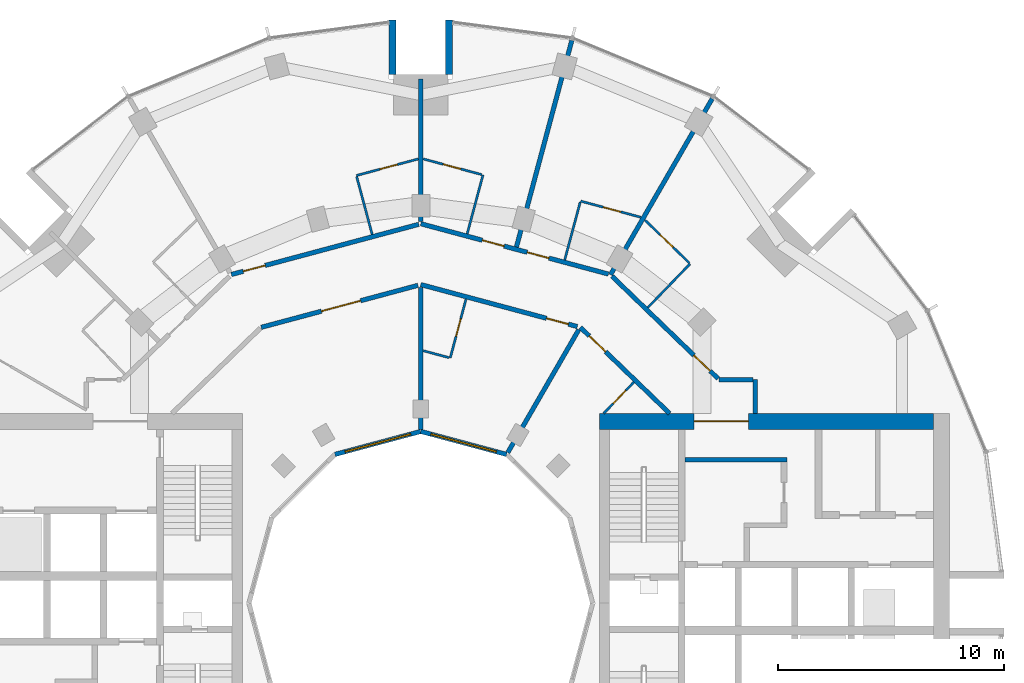
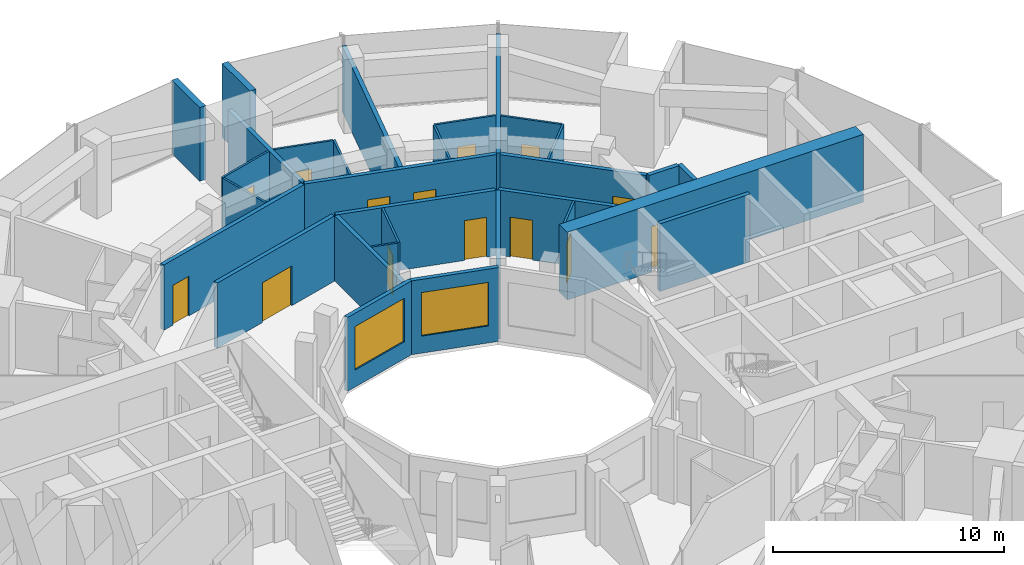
# One storey, part 12 of 15: 30 walls, 14 doors, 2 windows, 16 openings.
"""IFC4 building model written with IfcOpenShell, lengths in metres."""

from ifc_helpers import new_model, si_unit, direction, frame, frame_2d, origin, place, context, subcontext, project, spatial, rectangle, extrude, material, layer, layer_set, type_object, element, fill, save


model = new_model("IFC4")

# Units and contexts
model_context = context("Model", 3, precision=1e-05, world=origin(), true_north=direction((0.0, 1.0)))
body_context = subcontext(model_context, "Body", "Model", "MODEL_VIEW")
ifc_project = project(units=[si_unit("LENGTHUNIT", "METRE"), si_unit("AREAUNIT", "SQUARE_METRE"), si_unit("VOLUMEUNIT", "CUBIC_METRE"), si_unit("PLANEANGLEUNIT", "RADIAN"), si_unit("MASSUNIT", "GRAM", prefix="KILO")], contexts=[model_context])

# Site, building, storey
site_placement = place(None, origin())
site = spatial("IfcSite", under=ifc_project, at=site_placement, CompositionType="ELEMENT")
building_placement = place(site_placement, origin())
building = spatial("IfcBuilding", under=site, at=building_placement, Name="Torre Brocal", CompositionType="ELEMENT")
storey_placement = place(building_placement, frame((0.0, 0.0, 118.5)))
storey = spatial("IfcBuildingStorey", under=building, at=storey_placement, Name="L27", CompositionType="ELEMENT", Elevation=118.5)

# Wall
ifc_material_1 = material(Name="Concrete C70", Category="concrete")
ifc_layer_1 = layer(ifc_material_1, 0.199951171875)
ifc_layer_set_1 = layer_set([ifc_layer_1], Name="Concrete C70")
wall_type_1 = type_object("IfcWallType", Name="CORE WALL 200 C70", PredefinedType="SHEAR", material=ifc_layer_set_1)
wall_1_placement = place(storey_placement, frame((91.699951171875, 81.35009765625, 0.0), z_axis=(0.0, 0.0, 1.0), x_axis=(1.0, 0.0, 0.0)))
element("IfcWall", 1, at=wall_1_placement, inside=storey, type_object=wall_type_1, Name="Wall CW200-70", PredefinedType="SHEAR", context=body_context, shape_type="SweptSolid", body=[
    extrude(rectangle(XDim=4.5, YDim=0.199951171875, at=frame_2d((2.25, 0.0))), origin(), (0.0, 0.0, 1.0), 3.580078125),
])

# Wall, opening, door
ifc_material_2 = material(Name="Concrete C70", Category="concrete")
ifc_layer_2 = layer(ifc_material_2, 0.699951171875)
ifc_layer_set_2 = layer_set([ifc_layer_2], Name="Concrete C70")
wall_type_2 = type_object("IfcWallType", Name="CORE WALL 700 C70", PredefinedType="SHEAR", material=ifc_layer_set_2)
wall_2_placement = place(storey_placement, frame((87.89990234375, 83.050048828125, 0.0), z_axis=(0.0, 0.0, 1.0), x_axis=(1.0, 0.0, 0.0)))
wall_2 = element("IfcWall", 2, at=wall_2_placement, inside=storey, type_object=wall_type_2, Name="Wall CW700-70", PredefinedType="SHEAR", context=body_context, shape_type="SweptSolid", body=[
    extrude(rectangle(XDim=14.800048828125, YDim=0.699951171875, at=frame_2d((7.39990234375, 0.0))), origin(), (0.0, 0.0, 1.0), 3.580078125),
])
opening_1_placement = place(wall_2_placement, frame((4.199951171875, 0.0, 0.0)))
opening_1 = element("IfcOpeningElement", 3, at=opening_1_placement, cuts=wall_2, Name="Opening E-D24", PredefinedType="OPENING", context=body_context, shape_type="SweptSolid", body=[
    extrude(rectangle(XDim=2.39990234375, YDim=2.39990234375, at=frame_2d((1.199951171875, 1.199951171875))), frame((0.0, 0.35986328125, 0.0), z_axis=(0.0, -1.0, 0.0), x_axis=(1.0, 0.0, 0.0)), (0.0, 0.0, 1.0), 0.719970703125),
])
ifc_material_3 = material(Name="Steel A653", Category="steel")
door_type_1 = type_object("IfcDoorType", Name="DOUBLE FIRE DOOR FD90 2400X2400", OperationType="DOUBLE_DOOR_SINGLE_SWING", PredefinedType="DOOR", material=ifc_material_3)
door_1_placement = place(opening_1_placement, frame((2.39990234375, 0.0, 0.0), z_axis=(0.0, 0.0, 1.0), x_axis=(-1.0, 0.0, 0.0)))
door_1 = element("IfcDoor", 4, at=door_1_placement, inside=storey, type_object=door_type_1, Name="Door E-D24", OperationType="DOUBLE_DOOR_SINGLE_SWING", OverallHeight=2.39990234375, OverallWidth=2.39990234375, PredefinedType="DOOR", context=body_context, shape_type="SweptSolid", body=[
    extrude(rectangle(XDim=2.39990234375, YDim=2.39990234375, at=frame_2d((1.199951171875, 1.199951171875))), frame((0.0, 0.02490234375, 0.0), z_axis=(0.0, -1.0, 0.0), x_axis=(1.0, 0.0, 0.0)), (0.0, 0.0, 1.0), 0.050048828125),
])
fill(opening_1, door_1)

# Walls
ifc_material_4 = material(Name="Concrete C70", Category="concrete")
ifc_layer_3 = layer(ifc_material_4, 0.300048828125)
ifc_layer_set_3 = layer_set([ifc_layer_3], Name="Concrete C70")
wall_type_3 = type_object("IfcWallType", Name="NOTCH RETURN WALL 300 C70", PredefinedType="NOTDEFINED", material=ifc_layer_set_3)
for number, where, z_axis, x_axis, name in (
    (5, (81.25, 98.39990234375, 0.0), (0.0, 0.0, 1.0), (0.0, 1.0, 0.0), "NOTCH RETURN WALL"),
    (6, (78.75, 98.39990234375, 0.0), (0.0, 0.0, 1.0), (0.0, 1.0, 0.0), "NOTCH RETURN WALL"),
):
    element("IfcWall", number, at=place(storey_placement, frame(where, z_axis=z_axis, x_axis=x_axis)), inside=storey, type_object=wall_type_3, Name=name, PredefinedType="NOTDEFINED", context=body_context, shape_type="SweptSolid", body=[
        extrude(rectangle(XDim=2.415771484375, YDim=0.300048828125, at=frame_2d((1.2080078125, 0.0))), origin(), (0.0, 0.0, 1.0), 3.89990234375),
    ])
ifc_material_5 = material(Name="Gypsum board", Category="Gypsum")
ifc_layer_4 = layer(ifc_material_5, 0.10009765625)
ifc_layer_set_4 = layer_set([ifc_layer_4], Name="Gypsum board")
wall_type_4 = type_object("IfcWallType", Name="PARTITION 100", PredefinedType="PARTITIONING", material=ifc_layer_set_4)
wall_3_placement = place(storey_placement, frame((77.161865234375, 93.8828125, 0.0), z_axis=(0.0, 0.0, 1.0), x_axis=(0.258998589493, -0.965877699629, 0.0)))
element("IfcWall", 7, at=wall_3_placement, inside=storey, type_object=wall_type_4, Name="BATHROOM WALL", PredefinedType="PARTITIONING", context=body_context, shape_type="SweptSolid", body=[
    extrude(rectangle(XDim=2.649658203125, YDim=0.10009765625, at=frame_2d((1.32470703125, 0.0))), origin(), (0.0, 0.0, 1.0), 3.449951171875),
])

# Wall, opening, door
wall_4_placement = place(storey_placement, frame((77.14892578125, 93.930908203125, 0.0), z_axis=(0.0, 0.0, 1.0), x_axis=(0.965916219953, 0.258854893776, 0.0)))
wall_4 = element("IfcWall", 8, at=wall_4_placement, inside=storey, type_object=wall_type_4, Name="BATHROOM WALL", PredefinedType="PARTITIONING", context=body_context, shape_type="SweptSolid", body=[
    extrude(rectangle(XDim=2.841796875, YDim=0.10009765625, at=frame_2d((1.4208984375, 0.0))), origin(), (0.0, 0.0, 1.0), 3.449951171875),
])
opening_2_placement = place(wall_4_placement, frame((1.07568359375, 0.0, 0.0)))
opening_2 = element("IfcOpeningElement", 9, at=opening_2_placement, cuts=wall_4, Name="Opening E01-D08", PredefinedType="OPENING", context=body_context, shape_type="SweptSolid", body=[
    extrude(rectangle(XDim=0.800048828125, YDim=2.10009765625, at=frame_2d((0.39990234375, 1.050048828125))), frame((0.0, 0.06005859375, 0.0), z_axis=(0.0, -1.0, 0.0), x_axis=(1.0, 0.0, 0.0)), (0.0, 0.0, 1.0), 0.1201171875),
])
ifc_material_6 = material(Name="Timber", Category="wood")
door_type_2 = type_object("IfcDoorType", Name="BATHROOM DOOR 800X2100", OperationType="SINGLE_SWING_LEFT", PredefinedType="DOOR", material=ifc_material_6)
door_2_placement = place(opening_2_placement, frame((0.800048828125, 0.0, 0.0), z_axis=(0.0, 0.0, 1.0), x_axis=(-1.0, 0.0, 0.0)))
door_2 = element("IfcDoor", 10, at=door_2_placement, inside=storey, type_object=door_type_2, Name="E01-D08", OperationType="SINGLE_SWING_LEFT", OverallHeight=2.10009765625, OverallWidth=0.800048828125, PredefinedType="DOOR", context=body_context, shape_type="SweptSolid", body=[
    extrude(rectangle(XDim=0.800048828125, YDim=2.10009765625, at=frame_2d((0.39990234375, 1.050048828125))), frame((0.0, 0.02490234375, 0.0), z_axis=(0.0, -1.0, 0.0), x_axis=(1.0, 0.0, 0.0)), (0.0, 0.0, 1.0), 0.050048828125),
])
fill(opening_2, door_2)

# Wall
wall_5_placement = place(storey_placement, frame((80.106201171875, 86.176513671875, 0.0), z_axis=(0.0, 0.0, 1.0), x_axis=(0.966002973184, -0.258530957139, 0.0)))
element("IfcWall", 11, at=wall_5_placement, inside=storey, type_object=wall_type_4, Name="BATHROOM WALL", PredefinedType="PARTITIONING", context=body_context, shape_type="SweptSolid", body=[
    extrude(rectangle(XDim=1.18994140625, YDim=0.10009765625, at=frame_2d((0.594970703125, 0.0))), origin(), (0.0, 0.0, 1.0), 3.449951171875),
])

# Wall, opening, door
wall_6_placement = place(storey_placement, frame((80.106201171875, 94.666748046875, 0.0), z_axis=(0.0, 0.0, 1.0), x_axis=(0.965904298007, -0.258899376382, 0.0)))
wall_6 = element("IfcWall", 12, at=wall_6_placement, inside=storey, type_object=wall_type_4, Name="BATHROOM WALL", PredefinedType="PARTITIONING", context=body_context, shape_type="SweptSolid", body=[
    extrude(rectangle(XDim=2.6904296875, YDim=0.10009765625, at=frame_2d((1.34521484375, 0.0))), origin(), (0.0, 0.0, 1.0), 3.449951171875),
])
opening_3_placement = place(wall_6_placement, frame((0.9150390625, 0.0, 0.0)))
opening_3 = element("IfcOpeningElement", 13, at=opening_3_placement, cuts=wall_6, Name="Opening E01-D06", PredefinedType="OPENING", context=body_context, shape_type="SweptSolid", body=[
    extrude(rectangle(XDim=0.800048828125, YDim=2.10009765625, at=frame_2d((0.39990234375, 1.050048828125))), frame((0.0, 0.06005859375, 0.0), z_axis=(0.0, -1.0, 0.0), x_axis=(1.0, 0.0, 0.0)), (0.0, 0.0, 1.0), 0.1201171875),
])
door_3_placement = place(opening_3_placement, frame((0.800048828125, 0.0, 0.0), z_axis=(0.0, 0.0, 1.0), x_axis=(-1.0, 0.0, 0.0)))
door_3 = element("IfcDoor", 14, at=door_3_placement, inside=storey, type_object=door_type_2, Name="E01-D06", OperationType="SINGLE_SWING_RIGHT", OverallHeight=2.10009765625, OverallWidth=0.800048828125, PredefinedType="DOOR", context=body_context, shape_type="SweptSolid", body=[
    extrude(rectangle(XDim=0.800048828125, YDim=2.10009765625, at=frame_2d((0.39990234375, 1.050048828125))), frame((0.0, 0.02490234375, 0.0), z_axis=(0.0, -1.0, 0.0), x_axis=(1.0, 0.0, 0.0)), (0.0, 0.0, 1.0), 0.050048828125),
])
fill(opening_3, door_3)

wall_7_placement = place(storey_placement, frame((81.303955078125, 85.85595703125, 0.0), z_axis=(0.0, 0.0, 1.0), x_axis=(0.25867580527, 0.965964195904, 0.0)))
wall_7 = element("IfcWall", 15, at=wall_7_placement, inside=storey, type_object=wall_type_4, Name="BATHROOM WALL", PredefinedType="PARTITIONING", context=body_context, shape_type="SweptSolid", body=[
    extrude(rectangle(XDim=2.69921875, YDim=0.10009765625, at=frame_2d((1.349609375, 0.0))), origin(), (0.0, 0.0, 1.0), 3.449951171875),
])
opening_4_placement = place(wall_7_placement, frame((0.99951171875, 0.0, 0.0)))
opening_4 = element("IfcOpeningElement", 16, at=opening_4_placement, cuts=wall_7, Name="Opening E01-D17", PredefinedType="OPENING", context=body_context, shape_type="SweptSolid", body=[
    extrude(rectangle(XDim=0.800048828125, YDim=2.10009765625, at=frame_2d((0.39990234375, 1.050048828125))), frame((0.0, 0.06005859375, 0.0), z_axis=(0.0, -1.0, 0.0), x_axis=(1.0, 0.0, 0.0)), (0.0, 0.0, 1.0), 0.1201171875),
])
door_4_placement = place(opening_4_placement, origin())
door_4 = element("IfcDoor", 17, at=door_4_placement, inside=storey, type_object=door_type_2, Name="E01-D17", OperationType="SINGLE_SWING_RIGHT", OverallHeight=2.10009765625, OverallWidth=0.800048828125, PredefinedType="DOOR", context=body_context, shape_type="SweptSolid", body=[
    extrude(rectangle(XDim=0.800048828125, YDim=2.10009765625, at=frame_2d((0.39990234375, 1.050048828125))), frame((0.0, 0.02490234375, 0.0), z_axis=(0.0, -1.0, 0.0), x_axis=(1.0, 0.0, 0.0)), (0.0, 0.0, 1.0), 0.050048828125),
])
fill(opening_4, door_4)

# Walls
wall_8_placement = place(storey_placement, frame((82.053955078125, 91.349609375, 0.0), z_axis=(0.0, 0.0, 1.0), x_axis=(0.258928960762, 0.965896367774, 0.0)))
element("IfcWall", 18, at=wall_8_placement, inside=storey, type_object=wall_type_4, Name="BATHROOM WALL", PredefinedType="PARTITIONING", context=body_context, shape_type="SweptSolid", body=[
    extrude(rectangle(XDim=2.699462890625, YDim=0.10009765625, at=frame_2d((1.349609375, 0.0))), origin(), (0.0, 0.0, 1.0), 3.449951171875),
])
wall_9_placement = place(storey_placement, frame((86.3701171875, 90.193359375, 0.0), z_axis=(0.0, 0.0, 1.0), x_axis=(0.259044695829, 0.965865335108, 0.0)))
element("IfcWall", 19, at=wall_9_placement, inside=storey, type_object=wall_type_4, Name="BATHROOM WALL", PredefinedType="PARTITIONING", context=body_context, shape_type="SweptSolid", body=[
    extrude(rectangle(XDim=2.649169921875, YDim=0.10009765625, at=frame_2d((1.32470703125, 0.0))), origin(), (0.0, 0.0, 1.0), 3.449951171875),
])

# Wall, opening, door
wall_10_placement = place(storey_placement, frame((87.081787109375, 92.796875, 0.0), z_axis=(0.0, 0.0, 1.0), x_axis=(0.965892621415, -0.258942935598, 0.0)))
wall_10 = element("IfcWall", 20, at=wall_10_placement, inside=storey, type_object=wall_type_4, Name="BATHROOM WALL", PredefinedType="PARTITIONING", context=body_context, shape_type="SweptSolid", body=[
    extrude(rectangle(XDim=2.753173828125, YDim=0.10009765625, at=frame_2d((1.37646484375, 0.0))), origin(), (0.0, 0.0, 1.0), 3.449951171875),
])
opening_5_placement = place(wall_10_placement, frame((1.03173828125, 0.0, 0.0)))
opening_5 = element("IfcOpeningElement", 21, at=opening_5_placement, cuts=wall_10, Name="Opening E01-D04", PredefinedType="OPENING", context=body_context, shape_type="SweptSolid", body=[
    extrude(rectangle(XDim=0.800048828125, YDim=2.10009765625, at=frame_2d((0.39990234375, 1.050048828125))), frame((0.0, 0.06005859375, 0.0), z_axis=(0.0, -1.0, 0.0), x_axis=(1.0, 0.0, 0.0)), (0.0, 0.0, 1.0), 0.1201171875),
])
door_5_placement = place(opening_5_placement, frame((0.800048828125, 0.0, 0.0), z_axis=(0.0, 0.0, 1.0), x_axis=(-1.0, 0.0, 0.0)))
door_5 = element("IfcDoor", 22, at=door_5_placement, inside=storey, type_object=door_type_2, Name="E01-D04", OperationType="SINGLE_SWING_LEFT", OverallHeight=2.10009765625, OverallWidth=0.800048828125, PredefinedType="DOOR", context=body_context, shape_type="SweptSolid", body=[
    extrude(rectangle(XDim=0.800048828125, YDim=2.10009765625, at=frame_2d((0.39990234375, 1.050048828125))), frame((0.0, 0.02490234375, 0.0), z_axis=(0.0, -1.0, 0.0), x_axis=(1.0, 0.0, 0.0)), (0.0, 0.0, 1.0), 0.050048828125),
])
fill(opening_5, door_5)

wall_11_placement = place(storey_placement, frame((88.094970703125, 83.39990234375, 0.0), z_axis=(0.0, 0.0, 1.0), x_axis=(0.694447472534, 0.719543402368, 0.0)))
wall_11 = element("IfcWall", 23, at=wall_11_placement, inside=storey, type_object=wall_type_4, Name="BATHROOM WALL", PredefinedType="PARTITIONING", context=body_context, shape_type="SweptSolid", body=[
    extrude(rectangle(XDim=1.92626953125, YDim=0.10009765625, at=frame_2d((0.963134765625, 0.0))), origin(), (0.0, 0.0, 1.0), 3.449951171875),
])
opening_6_placement = place(wall_11_placement, frame((0.613037109375, 0.0, 0.0)))
opening_6 = element("IfcOpeningElement", 24, at=opening_6_placement, cuts=wall_11, Name="Opening E01-D15", PredefinedType="OPENING", context=body_context, shape_type="SweptSolid", body=[
    extrude(rectangle(XDim=0.800048828125, YDim=2.10009765625, at=frame_2d((0.39990234375, 1.050048828125))), frame((0.0, 0.06005859375, 0.0), z_axis=(0.0, -1.0, 0.0), x_axis=(1.0, 0.0, 0.0)), (0.0, 0.0, 1.0), 0.1201171875),
])
door_6_placement = place(opening_6_placement, frame((0.800048828125, 0.0, 0.0), z_axis=(0.0, 0.0, 1.0), x_axis=(-1.0, 0.0, 0.0)))
door_6 = element("IfcDoor", 25, at=door_6_placement, inside=storey, type_object=door_type_2, Name="E01-D15", OperationType="SINGLE_SWING_LEFT", OverallHeight=2.10009765625, OverallWidth=0.800048828125, PredefinedType="DOOR", context=body_context, shape_type="SweptSolid", body=[
    extrude(rectangle(XDim=0.800048828125, YDim=2.10009765625, at=frame_2d((0.39990234375, 1.050048828125))), frame((0.0, 0.02490234375, 0.0), z_axis=(0.0, -1.0, 0.0), x_axis=(1.0, 0.0, 0.0)), (0.0, 0.0, 1.0), 0.050048828125),
])
fill(opening_6, door_6)

wall_12_placement = place(storey_placement, frame((89.9248046875, 91.956298828125, 0.0), z_axis=(0.0, 0.0, 1.0), x_axis=(0.719395291255, -0.694600903339, 0.0)))
wall_12 = element("IfcWall", 26, at=wall_12_placement, inside=storey, type_object=wall_type_4, Name="BATHROOM WALL", PredefinedType="PARTITIONING", context=body_context, shape_type="SweptSolid", body=[
    extrude(rectangle(XDim=2.7275390625, YDim=0.10009765625, at=frame_2d((1.36376953125, 0.0))), origin(), (0.0, 0.0, 1.0), 3.449951171875),
])
opening_7_placement = place(wall_12_placement, frame((0.928466796875, 0.0, 0.0)))
opening_7 = element("IfcOpeningElement", 27, at=opening_7_placement, cuts=wall_12, Name="Opening E01-D02", PredefinedType="OPENING", context=body_context, shape_type="SweptSolid", body=[
    extrude(rectangle(XDim=0.800048828125, YDim=2.10009765625, at=frame_2d((0.39990234375, 1.050048828125))), frame((0.0, 0.06005859375, 0.0), z_axis=(0.0, -1.0, 0.0), x_axis=(1.0, 0.0, 0.0)), (0.0, 0.0, 1.0), 0.1201171875),
])
door_7_placement = place(opening_7_placement, frame((0.800048828125, 0.0, 0.0), z_axis=(0.0, 0.0, 1.0), x_axis=(-1.0, 0.0, 0.0)))
door_7 = element("IfcDoor", 28, at=door_7_placement, inside=storey, type_object=door_type_2, Name="E01-D02", OperationType="SINGLE_SWING_RIGHT", OverallHeight=2.10009765625, OverallWidth=0.800048828125, PredefinedType="DOOR", context=body_context, shape_type="SweptSolid", body=[
    extrude(rectangle(XDim=0.800048828125, YDim=2.10009765625, at=frame_2d((0.39990234375, 1.050048828125))), frame((0.0, 0.02490234375, 0.0), z_axis=(0.0, -1.0, 0.0), x_axis=(1.0, 0.0, 0.0)), (0.0, 0.0, 1.0), 0.050048828125),
])
fill(opening_7, door_7)

# Wall
wall_13_placement = place(storey_placement, frame((90.047607421875, 88.0849609375, 0.0), z_axis=(0.0, 0.0, 1.0), x_axis=(0.694655834207, 0.71934224956, 0.0)))
element("IfcWall", 29, at=wall_13_placement, inside=storey, type_object=wall_type_4, Name="BATHROOM WALL", PredefinedType="PARTITIONING", context=body_context, shape_type="SweptSolid", body=[
    extrude(rectangle(XDim=2.699951171875, YDim=0.10009765625, at=frame_2d((1.35009765625, 0.0))), origin(), (0.0, 0.0, 1.0), 3.449951171875),
])

# Wall, opening, door
ifc_material_7 = material(Name="Gypsum board", Category="Gypsum")
ifc_layer_5 = layer(ifc_material_7, 0.199951171875)
ifc_layer_set_5 = layer_set([ifc_layer_5], Name="Gypsum board")
wall_type_5 = type_object("IfcWallType", Name="PARTITION 200 EI60", PredefinedType="PARTITIONING", material=ifc_layer_set_5)
wall_14_placement = place(storey_placement, frame((71.61376953125, 89.549560546875, 0.0), z_axis=(0.0, 0.0, 1.0), x_axis=(0.965967958589, 0.258661753994, 0.0)))
wall_14 = element("IfcWall", 30, at=wall_14_placement, inside=storey, type_object=wall_type_5, Name="GUESTROOM CORRIDOR WALL", PredefinedType="PARTITIONING", context=body_context, shape_type="SweptSolid", body=[
    extrude(rectangle(XDim=8.592041015625, YDim=0.199951171875, at=frame_2d((4.2958984375, 0.0))), origin(), (0.0, 0.0, 1.0), 3.449951171875),
])
opening_8_placement = place(wall_14_placement, frame((0.550048828125, 0.0, 0.0)))
opening_8 = element("IfcOpeningElement", 31, at=opening_8_placement, cuts=wall_14, Name="Opening E01-D07", PredefinedType="OPENING", context=body_context, shape_type="SweptSolid", body=[
    extrude(rectangle(XDim=1.0, YDim=2.10009765625, at=frame_2d((0.5, 1.050048828125))), frame((0.0, 0.10986328125, 0.0), z_axis=(0.0, -1.0, 0.0), x_axis=(1.0, 0.0, 0.0)), (0.0, 0.0, 1.0), 0.219970703125),
])
ifc_material_8 = material(Name="Timber", Category="wood")
door_type_3 = type_object("IfcDoorType", Name="FLAT ENTRY DOOR FD30S 1000X2100", OperationType="SINGLE_SWING_RIGHT", PredefinedType="DOOR", material=ifc_material_8)
door_8_placement = place(opening_8_placement, origin())
door_8 = element("IfcDoor", 32, at=door_8_placement, inside=storey, type_object=door_type_3, Name="E01-D07", OperationType="SINGLE_SWING_LEFT", OverallHeight=2.10009765625, OverallWidth=1.0, PredefinedType="DOOR", context=body_context, shape_type="SweptSolid", body=[
    extrude(rectangle(XDim=1.0, YDim=2.10009765625, at=frame_2d((0.5, 1.050048828125))), frame((0.0, 0.02490234375, 0.0), z_axis=(0.0, -1.0, 0.0), x_axis=(1.0, 0.0, 0.0)), (0.0, 0.0, 1.0), 0.050048828125),
])
fill(opening_8, door_8)

wall_15_placement = place(storey_placement, frame((72.93603515625, 87.2109375, 0.0), z_axis=(0.0, 0.0, 1.0), x_axis=(0.965917703859, 0.258849356521, 0.0)))
wall_15 = element("IfcWall", 33, at=wall_15_placement, inside=storey, type_object=wall_type_5, Name="GUESTROOM CORRIDOR WALL", PredefinedType="PARTITIONING", context=body_context, shape_type="SweptSolid", body=[
    extrude(rectangle(XDim=7.182373046875, YDim=0.199951171875, at=frame_2d((3.59130859375, 0.0))), origin(), (0.0, 0.0, 1.0), 3.449951171875),
])
opening_9_placement = place(wall_15_placement, frame((2.756591796875, 0.0, 0.0)))
opening_9 = element("IfcOpeningElement", 34, at=opening_9_placement, cuts=wall_15, Name="Opening E01-D18", PredefinedType="OPENING", context=body_context, shape_type="SweptSolid", body=[
    extrude(rectangle(XDim=1.800048828125, YDim=2.10009765625, at=frame_2d((0.89990234375, 1.050048828125))), frame((0.0, 0.10986328125, 0.0), z_axis=(0.0, -1.0, 0.0), x_axis=(1.0, 0.0, 0.0)), (0.0, 0.0, 1.0), 0.219970703125),
])
ifc_material_9 = material(Name="Timber", Category="wood")
door_type_4 = type_object("IfcDoorType", Name="DOUBLE DOOR 1800X2100", OperationType="DOUBLE_DOOR_SINGLE_SWING", PredefinedType="DOOR", material=ifc_material_9)
door_9_placement = place(opening_9_placement, frame((1.800048828125, 0.0, 0.0), z_axis=(0.0, 0.0, 1.0), x_axis=(-1.0, 0.0, 0.0)))
door_9 = element("IfcDoor", 35, at=door_9_placement, inside=storey, type_object=door_type_4, Name="E01-D18", OperationType="DOUBLE_DOOR_SINGLE_SWING", OverallHeight=2.10009765625, OverallWidth=1.800048828125, PredefinedType="DOOR", context=body_context, shape_type="SweptSolid", body=[
    extrude(rectangle(XDim=1.800048828125, YDim=2.10009765625, at=frame_2d((0.89990234375, 1.050048828125))), frame((0.0, 0.02490234375, 0.0), z_axis=(0.0, -1.0, 0.0), x_axis=(1.0, 0.0, 0.0)), (0.0, 0.0, 1.0), 0.050048828125),
])
fill(opening_9, door_9)

# Wall
wall_16_placement = place(storey_placement, frame((80.0, 82.699951171875, 0.0), z_axis=(0.0, 0.0, 1.0), x_axis=(0.0, 1.0, 0.0)))
element("IfcWall", 36, at=wall_16_placement, inside=storey, type_object=wall_type_5, Name="BATHROOM WALL", PredefinedType="PARTITIONING", context=body_context, shape_type="SweptSolid", body=[
    extrude(rectangle(XDim=6.27294921875, YDim=0.199951171875, at=frame_2d((3.136474609375, 0.0))), origin(), (0.0, 0.0, 1.0), 3.449951171875),
])

# Wall, opening, door
wall_17_placement = place(storey_placement, frame((80.0, 89.10400390625, 0.0), z_axis=(0.0, 0.0, 1.0), x_axis=(0.965856548257, -0.259077455964, 0.0)))
wall_17 = element("IfcWall", 37, at=wall_17_placement, inside=storey, type_object=wall_type_5, Name="GUESTROOM CORRIDOR WALL", PredefinedType="PARTITIONING", context=body_context, shape_type="SweptSolid", body=[
    extrude(rectangle(XDim=7.173095703125, YDim=0.199951171875, at=frame_2d((3.58642578125, 0.0))), origin(), (0.0, 0.0, 1.0), 3.449951171875),
])
opening_10_placement = place(wall_17_placement, frame((5.76318359375, 0.0, 0.0)))
opening_10 = element("IfcOpeningElement", 38, at=opening_10_placement, cuts=wall_17, Name="Opening E01-D16", PredefinedType="OPENING", context=body_context, shape_type="SweptSolid", body=[
    extrude(rectangle(XDim=1.0, YDim=2.10009765625, at=frame_2d((0.5, 1.050048828125))), frame((0.0, 0.10986328125, 0.0), z_axis=(0.0, -1.0, 0.0), x_axis=(1.0, 0.0, 0.0)), (0.0, 0.0, 1.0), 0.219970703125),
])
door_10_placement = place(opening_10_placement, frame((1.0, 0.0, 0.0), z_axis=(0.0, 0.0, 1.0), x_axis=(-1.0, 0.0, 0.0)))
door_10 = element("IfcDoor", 39, at=door_10_placement, inside=storey, type_object=door_type_3, Name="E01-D16", OperationType="SINGLE_SWING_LEFT", OverallHeight=2.10009765625, OverallWidth=1.0, PredefinedType="DOOR", context=body_context, shape_type="SweptSolid", body=[
    extrude(rectangle(XDim=1.0, YDim=2.10009765625, at=frame_2d((0.5, 1.050048828125))), frame((0.0, 0.02490234375, 0.0), z_axis=(0.0, -1.0, 0.0), x_axis=(1.0, 0.0, 0.0)), (0.0, 0.0, 1.0), 0.050048828125),
])
fill(opening_10, door_10)

# Wall
wall_18_placement = place(storey_placement, frame((80.0, 91.886962890625, 0.0), z_axis=(0.0, 0.0, 1.0), x_axis=(0.0, 1.0, 0.0)))
element("IfcWall", 40, at=wall_18_placement, inside=storey, type_object=wall_type_5, Name="BATHROOM WALL", PredefinedType="PARTITIONING", context=body_context, shape_type="SweptSolid", body=[
    extrude(rectangle(XDim=6.31201171875, YDim=0.199951171875, at=frame_2d((3.156005859375, 0.0))), origin(), (0.0, 0.0, 1.0), 3.449951171875),
])

# Wall, openings, doors
wall_19_placement = place(storey_placement, frame((80.000244140625, 91.796875, 0.0), z_axis=(0.0, 0.0, 1.0), x_axis=(0.965857042792, -0.259075612301, 0.0)))
wall_19 = element("IfcWall", 41, at=wall_19_placement, inside=storey, type_object=wall_type_5, Name="GUESTROOM CORRIDOR WALL", PredefinedType="PARTITIONING", context=body_context, shape_type="SweptSolid", body=[
    extrude(rectangle(XDim=8.601806640625, YDim=0.199951171875, at=frame_2d((4.30078125, 0.0))), origin(), (0.0, 0.0, 1.0), 3.449951171875),
])
opening_11_placement = place(wall_19_placement, frame((4.87744140625, 0.0, 0.0)))
opening_11 = element("IfcOpeningElement", 42, at=opening_11_placement, cuts=wall_19, Name="Opening E01-D03", PredefinedType="OPENING", context=body_context, shape_type="SweptSolid", body=[
    extrude(rectangle(XDim=1.0, YDim=2.10009765625, at=frame_2d((0.5, 1.050048828125))), frame((0.0, 0.10986328125, 0.0), z_axis=(0.0, -1.0, 0.0), x_axis=(1.0, 0.0, 0.0)), (0.0, 0.0, 1.0), 0.219970703125),
])
opening_12_placement = place(wall_19_placement, frame((2.816650390625, 0.0, 0.0)))
opening_12 = element("IfcOpeningElement", 43, at=opening_12_placement, cuts=wall_19, Name="Opening E01-D05", PredefinedType="OPENING", context=body_context, shape_type="SweptSolid", body=[
    extrude(rectangle(XDim=1.0, YDim=2.10009765625, at=frame_2d((0.5, 1.050048828125))), frame((0.0, 0.10986328125, 0.0), z_axis=(0.0, -1.0, 0.0), x_axis=(1.0, 0.0, 0.0)), (0.0, 0.0, 1.0), 0.219970703125),
])
door_11_placement = place(opening_11_placement, origin())
door_11 = element("IfcDoor", 44, at=door_11_placement, inside=storey, type_object=door_type_3, Name="E01-D03", OperationType="SINGLE_SWING_LEFT", OverallHeight=2.10009765625, OverallWidth=1.0, PredefinedType="DOOR", context=body_context, shape_type="SweptSolid", body=[
    extrude(rectangle(XDim=1.0, YDim=2.10009765625, at=frame_2d((0.5, 1.050048828125))), frame((0.0, 0.02490234375, 0.0), z_axis=(0.0, -1.0, 0.0), x_axis=(1.0, 0.0, 0.0)), (0.0, 0.0, 1.0), 0.050048828125),
])
fill(opening_11, door_11)
door_12_placement = place(opening_12_placement, origin())
door_12 = element("IfcDoor", 45, at=door_12_placement, inside=storey, type_object=door_type_3, Name="E01-D05", OperationType="SINGLE_SWING_RIGHT", OverallHeight=2.10009765625, OverallWidth=1.0, PredefinedType="DOOR", context=body_context, shape_type="SweptSolid", body=[
    extrude(rectangle(XDim=1.0, YDim=2.10009765625, at=frame_2d((0.5, 1.050048828125))), frame((0.0, 0.02490234375, 0.0), z_axis=(0.0, -1.0, 0.0), x_axis=(1.0, 0.0, 0.0)), (0.0, 0.0, 1.0), 0.050048828125),
])
fill(opening_12, door_12)

# Walls
wall_20_placement = place(storey_placement, frame((83.849853515625, 81.66650390625, 0.0), z_axis=(0.0, 0.0, 1.0), x_axis=(0.500224530691, 0.865895732115, 0.0)))
element("IfcWall", 46, at=wall_20_placement, inside=storey, type_object=wall_type_5, Name="PARTY PARTITION", PredefinedType="PARTITIONING", context=body_context, shape_type="SweptSolid", body=[
    extrude(rectangle(XDim=6.28515625, YDim=0.199951171875, at=frame_2d((3.142578125, 0.0))), origin(), (0.0, 0.0, 1.0), 3.449951171875),
])
wall_21_placement = place(storey_placement, frame((84.23291015625, 90.765380859375, 0.0), z_axis=(0.0, 0.0, 1.0), x_axis=(0.259046484815, 0.965864855301, 0.0)))
element("IfcWall", 47, at=wall_21_placement, inside=storey, type_object=wall_type_5, Name="PARTY PARTITION", PredefinedType="PARTITIONING", context=body_context, shape_type="SweptSolid", body=[
    extrude(rectangle(XDim=9.474609375, YDim=0.199951171875, at=frame_2d((4.7373046875, 0.0))), origin(), (0.0, 0.0, 1.0), 3.449951171875),
])

# Wall, opening, door
wall_22_placement = place(storey_placement, frame((87.06396484375, 87.2109375, 0.0), z_axis=(0.0, 0.0, 1.0), x_axis=(0.719540958932, -0.694450004262, 0.0)))
wall_22 = element("IfcWall", 48, at=wall_22_placement, inside=storey, type_object=wall_type_5, Name="GUESTROOM CORRIDOR WALL", PredefinedType="PARTITIONING", context=body_context, shape_type="SweptSolid", body=[
    extrude(rectangle(XDim=5.48779296875, YDim=0.199951171875, at=frame_2d((2.743896484375, 0.0))), origin(), (0.0, 0.0, 1.0), 3.449951171875),
])
opening_13_placement = place(wall_22_placement, frame((0.550048828125, 0.0, 0.0)))
opening_13 = element("IfcOpeningElement", 49, at=opening_13_placement, cuts=wall_22, Name="Opening E01-D14", PredefinedType="OPENING", context=body_context, shape_type="SweptSolid", body=[
    extrude(rectangle(XDim=1.0, YDim=2.10009765625, at=frame_2d((0.5, 1.050048828125))), frame((0.0, 0.10986328125, 0.0), z_axis=(0.0, -1.0, 0.0), x_axis=(1.0, 0.0, 0.0)), (0.0, 0.0, 1.0), 0.219970703125),
])
door_13_placement = place(opening_13_placement, frame((1.0, 0.0, 0.0), z_axis=(0.0, 0.0, 1.0), x_axis=(-1.0, 0.0, 0.0)))
door_13 = element("IfcDoor", 50, at=door_13_placement, inside=storey, type_object=door_type_3, Name="E01-D14", OperationType="SINGLE_SWING_RIGHT", OverallHeight=2.10009765625, OverallWidth=1.0, PredefinedType="DOOR", context=body_context, shape_type="SweptSolid", body=[
    extrude(rectangle(XDim=1.0, YDim=2.10009765625, at=frame_2d((0.5, 1.050048828125))), frame((0.0, 0.02490234375, 0.0), z_axis=(0.0, -1.0, 0.0), x_axis=(1.0, 0.0, 0.0)), (0.0, 0.0, 1.0), 0.050048828125),
])
fill(opening_13, door_13)

wall_23_placement = place(storey_placement, frame((88.4658203125, 89.47314453125, 0.0), z_axis=(0.0, 0.0, 1.0), x_axis=(0.719346014649, -0.694651935295, 0.0)))
wall_23 = element("IfcWall", 51, at=wall_23_placement, inside=storey, type_object=wall_type_5, Name="GUESTROOM CORRIDOR WALL", PredefinedType="PARTITIONING", context=body_context, shape_type="SweptSolid", body=[
    extrude(rectangle(XDim=6.525146484375, YDim=0.199951171875, at=frame_2d((3.2626953125, 0.0))), origin(), (0.0, 0.0, 1.0), 3.449951171875),
])
opening_14_placement = place(wall_23_placement, frame((5.034423828125, 0.0, 0.0)))
opening_14 = element("IfcOpeningElement", 52, at=opening_14_placement, cuts=wall_23, Name="Opening E01-D01", PredefinedType="OPENING", context=body_context, shape_type="SweptSolid", body=[
    extrude(rectangle(XDim=1.0, YDim=2.10009765625, at=frame_2d((0.5, 1.050048828125))), frame((0.0, 0.10986328125, 0.0), z_axis=(0.0, -1.0, 0.0), x_axis=(1.0, 0.0, 0.0)), (0.0, 0.0, 1.0), 0.219970703125),
])
door_14_placement = place(opening_14_placement, origin())
door_14 = element("IfcDoor", 53, at=door_14_placement, inside=storey, type_object=door_type_3, Name="E01-D01", OperationType="SINGLE_SWING_RIGHT", OverallHeight=2.10009765625, OverallWidth=1.0, PredefinedType="DOOR", context=body_context, shape_type="SweptSolid", body=[
    extrude(rectangle(XDim=1.0, YDim=2.10009765625, at=frame_2d((0.5, 1.050048828125))), frame((0.0, 0.02490234375, 0.0), z_axis=(0.0, -1.0, 0.0), x_axis=(1.0, 0.0, 0.0)), (0.0, 0.0, 1.0), 0.050048828125),
])
fill(opening_14, door_14)

# Walls
wall_24_placement = place(storey_placement, frame((88.397705078125, 89.539306640625, 0.0), z_axis=(0.0, 0.0, 1.0), x_axis=(0.500217530286, 0.865899776184, 0.0)))
element("IfcWall", 54, at=wall_24_placement, inside=storey, type_object=wall_type_5, Name="BATHROOM WALL", PredefinedType="PARTITIONING", context=body_context, shape_type="SweptSolid", body=[
    extrude(rectangle(XDim=9.00634765625, YDim=0.199951171875, at=frame_2d((4.503173828125, 0.0))), origin(), (0.0, 0.0, 1.0), 3.449951171875),
])
wall_25_placement = place(storey_placement, frame((93.2041015625, 84.89990234375, 0.0), z_axis=(0.0, 0.0, 1.0), x_axis=(1.0, 0.0, 0.0)))
element("IfcWall", 55, at=wall_25_placement, inside=storey, type_object=wall_type_5, Name="GUESTROOM CORRIDOR WALL", PredefinedType="PARTITIONING", context=body_context, shape_type="SweptSolid", body=[
    extrude(rectangle(XDim=1.495849609375, YDim=0.199951171875, at=frame_2d((0.748046875, 0.0))), origin(), (0.0, 0.0, 1.0), 3.449951171875),
])
wall_26_placement = place(storey_placement, frame((94.800048828125, 83.40087890625, 0.0), z_axis=(0.0, 0.0, 1.0), x_axis=(0.0, 1.0, 0.0)))
element("IfcWall", 56, at=wall_26_placement, inside=storey, type_object=wall_type_5, Name="GUESTROOM CORRIDOR WALL", PredefinedType="PARTITIONING", context=body_context, shape_type="SweptSolid", body=[
    extrude(rectangle(XDim=1.4990234375, YDim=0.199951171875, at=frame_2d((0.74951171875, 0.0))), origin(), (0.0, 0.0, 1.0), 3.449951171875),
])

# Wall, opening, window
ifc_material_10 = material(Name="Concrete C40", Category="concrete")
ifc_layer_6 = layer(ifc_material_10, 0.199951171875)
ifc_layer_set_6 = layer_set([ifc_layer_6], Name="Concrete C40")
wall_type_6 = type_object("IfcWallType", Name="WELL FACADE WALL 200", PredefinedType="NOTDEFINED", material=ifc_layer_set_6)
wall_27_placement = place(storey_placement, frame((83.8017578125, 81.5849609375, 0.0), z_axis=(0.0, 0.0, 1.0), x_axis=(-0.965933654434, 0.258789828301, 0.0)))
wall_27 = element("IfcWall", 57, at=wall_27_placement, inside=storey, type_object=wall_type_6, Name="WELL FACADE WALL", PredefinedType="NOTDEFINED", context=body_context, shape_type="SweptSolid", body=[
    extrude(rectangle(XDim=3.935791015625, YDim=0.199951171875, at=frame_2d((1.9677734375, 0.0))), origin(), (0.0, 0.0, 1.0), 3.89990234375),
])
opening_15_placement = place(wall_27_placement, frame((0.468017578125, 0.0, 0.89990234375)))
opening_15 = element("IfcOpeningElement", 58, at=opening_15_placement, cuts=wall_27, Name="Opening W1", PredefinedType="OPENING", context=body_context, shape_type="SweptSolid", body=[
    extrude(rectangle(XDim=3.0, YDim=2.300048828125, at=frame_2d((1.5, 1.14990234375))), frame((0.0, 0.10986328125, 0.0), z_axis=(0.0, -1.0, 0.0), x_axis=(1.0, 0.0, 0.0)), (0.0, 0.0, 1.0), 0.219970703125),
])
ifc_material_11 = material(Name="Aluminium and glass", Category="aluminium")
window_type = type_object("IfcWindowType", Name="WELL WINDOW 3000X2300", PartitioningType="SINGLE_PANEL", PredefinedType="WINDOW", material=ifc_material_11)
window_1_placement = place(opening_15_placement, origin())
window_1 = element("IfcWindow", 59, at=window_1_placement, inside=storey, type_object=window_type, Name="WELL WINDOW 3000X2300", OverallHeight=2.300048828125, OverallWidth=3.0, PartitioningType="SINGLE_PANEL", PredefinedType="WINDOW", context=body_context, shape_type="SweptSolid", body=[
    extrude(rectangle(XDim=3.0, YDim=2.300048828125, at=frame_2d((1.5, 1.14990234375))), frame((0.0, 0.030029296875, 0.0), z_axis=(0.0, -1.0, 0.0), x_axis=(1.0, 0.0, 0.0)), (0.0, 0.0, 1.0), 0.06005859375),
])
fill(opening_15, window_1)

wall_28_placement = place(storey_placement, frame((80.0, 82.603515625, 0.0), z_axis=(0.0, 0.0, 1.0), x_axis=(-0.965933654434, -0.258789828301, 0.0)))
wall_28 = element("IfcWall", 60, at=wall_28_placement, inside=storey, type_object=wall_type_6, Name="WELL FACADE WALL", PredefinedType="NOTDEFINED", context=body_context, shape_type="SweptSolid", body=[
    extrude(rectangle(XDim=3.935791015625, YDim=0.199951171875, at=frame_2d((1.9677734375, 0.0))), origin(), (0.0, 0.0, 1.0), 3.89990234375),
])
opening_16_placement = place(wall_28_placement, frame((0.468017578125, 0.0, 0.89990234375)))
opening_16 = element("IfcOpeningElement", 61, at=opening_16_placement, cuts=wall_28, Name="Opening W1", PredefinedType="OPENING", context=body_context, shape_type="SweptSolid", body=[
    extrude(rectangle(XDim=3.0, YDim=2.300048828125, at=frame_2d((1.5, 1.14990234375))), frame((0.0, 0.10986328125, 0.0), z_axis=(0.0, -1.0, 0.0), x_axis=(1.0, 0.0, 0.0)), (0.0, 0.0, 1.0), 0.219970703125),
])
window_2_placement = place(opening_16_placement, origin())
window_2 = element("IfcWindow", 62, at=window_2_placement, inside=storey, type_object=window_type, Name="WELL WINDOW 3000X2300", OverallHeight=2.300048828125, OverallWidth=3.0, PartitioningType="SINGLE_PANEL", PredefinedType="WINDOW", context=body_context, shape_type="SweptSolid", body=[
    extrude(rectangle(XDim=3.0, YDim=2.300048828125, at=frame_2d((1.5, 1.14990234375))), frame((0.0, 0.030029296875, 0.0), z_axis=(0.0, -1.0, 0.0), x_axis=(1.0, 0.0, 0.0)), (0.0, 0.0, 1.0), 0.06005859375),
])
fill(opening_16, window_2)

save(model, "model.ifc")
